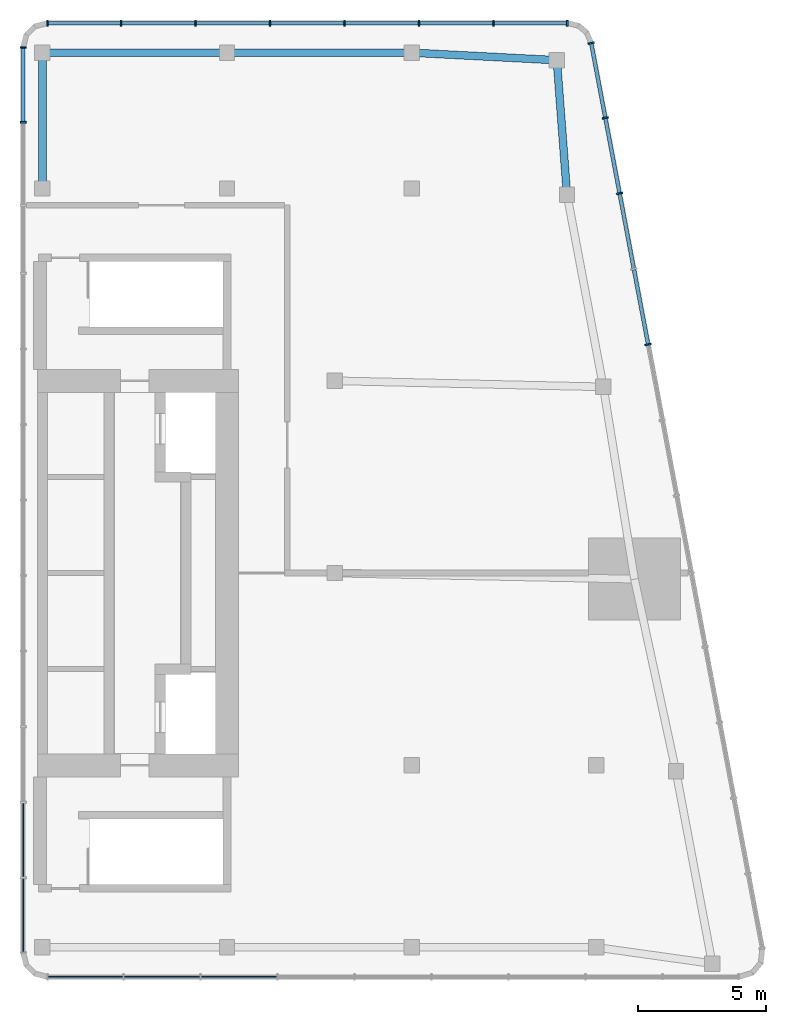
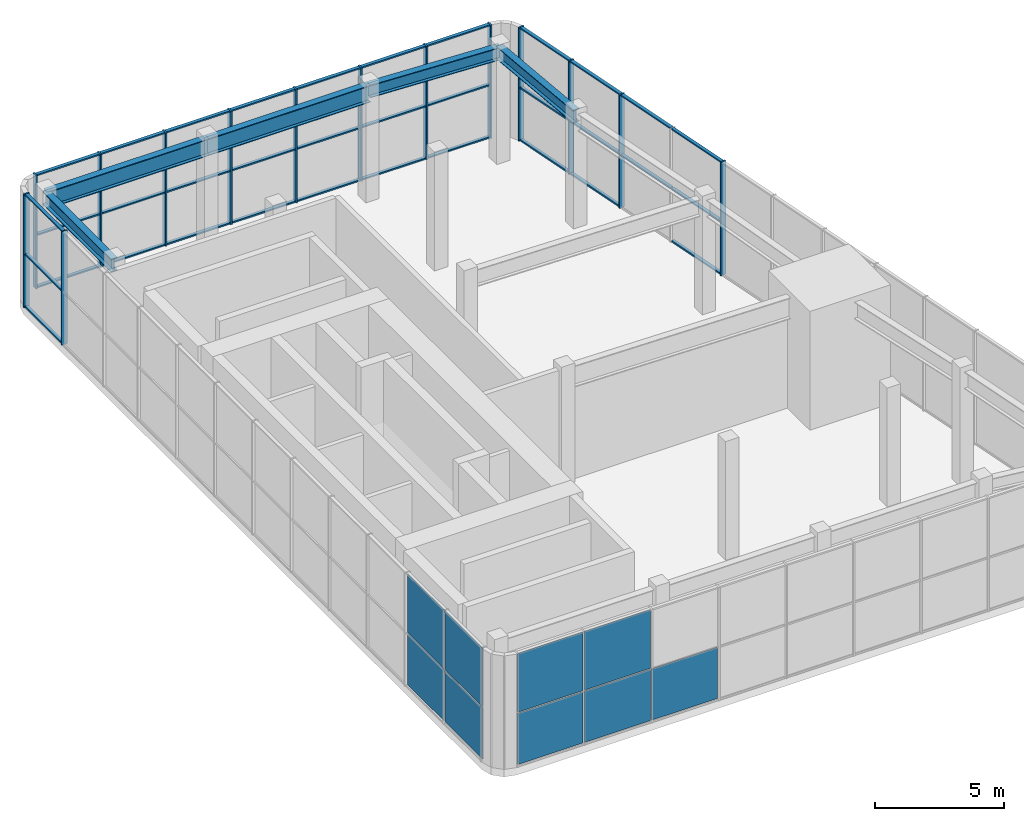
# One storey, part 3 of 6: 49 members, 9 plates, 5 beams, 4 elements without a shape of their own.
"""IFC4 building model written with IfcOpenShell, lengths in metres."""

from ifc_helpers import new_model, si_unit, direction, frame, origin, origin_2d, place, context, subcontext, project, spatial, rectangle, i_section, extrude, material, layer, layer_set, material_profile, profile_set, type_object, element, aggregate, save


model = new_model("IFC4")

# Units and contexts
model_context = context("Model", 3, precision=1e-05, world=origin(), true_north=direction((0.0, 1.0)))
body_context = subcontext(model_context, "Body", "Model", "MODEL_VIEW")
ifc_project = project(units=[si_unit("LENGTHUNIT", "METRE"), si_unit("AREAUNIT", "SQUARE_METRE"), si_unit("VOLUMEUNIT", "CUBIC_METRE"), si_unit("PLANEANGLEUNIT", "RADIAN"), si_unit("MASSUNIT", "GRAM", prefix="KILO")], contexts=[model_context])

# Site, building, storey
site_placement = place(None, origin())
site = spatial("IfcSite", under=ifc_project, at=site_placement, CompositionType="ELEMENT")
building_placement = place(site_placement, origin())
building = spatial("IfcBuilding", under=site, at=building_placement, Name="Sheger Commons Tower", CompositionType="ELEMENT")
storey_placement = place(building_placement, frame((0.0, 0.0, 301.60009765625)))
storey = spatial("IfcBuildingStorey", under=building, at=storey_placement, Name="L77", CompositionType="ELEMENT", Elevation=301.60009765625)

# Curtain wall, members
ifc_material_1 = material(Name="Black aluminium curtain wall, dark tinted glazing", Category="aluminium")
curtain_wall_type = type_object("IfcCurtainWallType", Name="CURTAIN WALL CW6 LANTERN", PredefinedType="USERDEFINED", material=ifc_material_1)
curtain_wall_1_placement = place(storey_placement, origin())
curtain_wall_1 = element("IfcCurtainWall", 1, at=curtain_wall_1_placement, inside=storey, type_object=curtain_wall_type, Name="Curtain Wall Cw6 Lantern E1 L77", ObjectType="UNITISED CURTAIN WALL", PredefinedType="USERDEFINED")
ifc_material_2 = material(Name="Black anodised aluminium", Category="aluminium")
ifc_material_profile_1 = material_profile(ifc_material_2, rectangle(XDim=0.25, YDim=0.06494140625, at=origin_2d()), Name="AL 65x250")
ifc_profile_set_1 = profile_set([ifc_material_profile_1], Name="Black anodised aluminium")
member_type_1 = type_object("IfcMemberType", Name="MULLION AL 65x250", PredefinedType="MULLION", material=ifc_profile_set_1)
member_1_placement = place(storey_placement, frame((45.229248046875, 31.4150390625, 0.0), z_axis=(0.0, 0.0, 1.0), x_axis=(-0.982622863229, -0.185613331041, 0.0)))
member_1 = element("IfcMember", 2, at=member_1_placement, type_object=member_type_1, Name="CW6 mullion 9", PredefinedType="MULLION", context=body_context, shape_type="SweptSolid", body=[
    extrude(rectangle(XDim=0.25, YDim=0.06494140625, at=origin_2d()), origin(), (0.0, 0.0, 1.0), 5.349853515625),
])
member_2_placement = place(storey_placement, frame((44.115478515625, 37.310791015625, 0.0), z_axis=(0.0, 0.0, 1.0), x_axis=(-0.982622863229, -0.185613331041, 0.0)))
member_2 = element("IfcMember", 3, at=member_2_placement, type_object=member_type_1, Name="CW6 mullion 11", PredefinedType="MULLION", context=body_context, shape_type="SweptSolid", body=[
    extrude(rectangle(XDim=0.25, YDim=0.06494140625, at=origin_2d()), origin(), (0.0, 0.0, 1.0), 5.349853515625),
])
member_3_placement = place(storey_placement, frame((43.558837890625, 40.258544921875, 0.0), z_axis=(0.0, 0.0, 1.0), x_axis=(-0.982622863229, -0.185613331041, 0.0)))
member_3 = element("IfcMember", 4, at=member_3_placement, type_object=member_type_1, Name="CW6 mullion 12", PredefinedType="MULLION", context=body_context, shape_type="SweptSolid", body=[
    extrude(rectangle(XDim=0.25, YDim=0.06494140625, at=origin_2d()), origin(), (0.0, 0.0, 1.0), 5.349853515625),
])
member_4_placement = place(storey_placement, frame((43.008056640625, 43.174072265625, 0.0), z_axis=(0.0, 0.0, 1.0), x_axis=(-0.982622863229, -0.185613331041, 0.0)))
member_4 = element("IfcMember", 5, at=member_4_placement, type_object=member_type_1, Name="CW6 mullion 13", PredefinedType="MULLION", context=body_context, shape_type="SweptSolid", body=[
    extrude(rectangle(XDim=0.25, YDim=0.06494140625, at=origin_2d()), origin(), (0.0, 0.0, 1.0), 5.349853515625),
])

curtain_wall_2_placement = place(storey_placement, origin())
curtain_wall_2 = element("IfcCurtainWall", 6, at=curtain_wall_2_placement, inside=storey, type_object=curtain_wall_type, Name="Curtain Wall Cw6 Lantern N1 L77", ObjectType="UNITISED CURTAIN WALL", PredefinedType="USERDEFINED")
member_5_placement = place(storey_placement, frame((42.070556640625, 43.949951171875, 0.0), z_axis=(0.0, 0.0, 1.0), x_axis=(0.0, -1.0, 0.0)))
member_5 = element("IfcMember", 7, at=member_5_placement, type_object=member_type_1, Name="CW6 mullion 1", PredefinedType="MULLION", context=body_context, shape_type="SweptSolid", body=[
    extrude(rectangle(XDim=0.25, YDim=0.06494140625, at=origin_2d()), origin(), (0.0, 0.0, 1.0), 5.349853515625),
])
member_6_placement = place(storey_placement, frame((39.197265625, 43.949951171875, 0.0), z_axis=(0.0, 0.0, 1.0), x_axis=(0.0, -1.0, 0.0)))
member_6 = element("IfcMember", 8, at=member_6_placement, type_object=member_type_1, Name="CW6 mullion 2", PredefinedType="MULLION", context=body_context, shape_type="SweptSolid", body=[
    extrude(rectangle(XDim=0.25, YDim=0.06494140625, at=origin_2d()), origin(), (0.0, 0.0, 1.0), 5.349853515625),
])
member_7_placement = place(storey_placement, frame((36.29150390625, 43.949951171875, 0.0), z_axis=(0.0, 0.0, 1.0), x_axis=(0.0, -1.0, 0.0)))
member_7 = element("IfcMember", 9, at=member_7_placement, type_object=member_type_1, Name="CW6 mullion 3", PredefinedType="MULLION", context=body_context, shape_type="SweptSolid", body=[
    extrude(rectangle(XDim=0.25, YDim=0.06494140625, at=origin_2d()), origin(), (0.0, 0.0, 1.0), 5.349853515625),
])
member_8_placement = place(storey_placement, frame((33.3857421875, 43.949951171875, 0.0), z_axis=(0.0, 0.0, 1.0), x_axis=(0.0, -1.0, 0.0)))
member_8 = element("IfcMember", 10, at=member_8_placement, type_object=member_type_1, Name="CW6 mullion 4", PredefinedType="MULLION", context=body_context, shape_type="SweptSolid", body=[
    extrude(rectangle(XDim=0.25, YDim=0.06494140625, at=origin_2d()), origin(), (0.0, 0.0, 1.0), 5.349853515625),
])
member_9_placement = place(storey_placement, frame((30.480224609375, 43.949951171875, 0.0), z_axis=(0.0, 0.0, 1.0), x_axis=(0.0, -1.0, 0.0)))
member_9 = element("IfcMember", 11, at=member_9_placement, type_object=member_type_1, Name="CW6 mullion 5", PredefinedType="MULLION", context=body_context, shape_type="SweptSolid", body=[
    extrude(rectangle(XDim=0.25, YDim=0.06494140625, at=origin_2d()), origin(), (0.0, 0.0, 1.0), 5.349853515625),
])
member_10_placement = place(storey_placement, frame((27.574462890625, 43.949951171875, 0.0), z_axis=(0.0, 0.0, 1.0), x_axis=(0.0, -1.0, 0.0)))
member_10 = element("IfcMember", 12, at=member_10_placement, type_object=member_type_1, Name="CW6 mullion 6", PredefinedType="MULLION", context=body_context, shape_type="SweptSolid", body=[
    extrude(rectangle(XDim=0.25, YDim=0.06494140625, at=origin_2d()), origin(), (0.0, 0.0, 1.0), 5.349853515625),
])
member_11_placement = place(storey_placement, frame((24.668701171875, 43.949951171875, 0.0), z_axis=(0.0, 0.0, 1.0), x_axis=(0.0, -1.0, 0.0)))
member_11 = element("IfcMember", 13, at=member_11_placement, type_object=member_type_1, Name="CW6 mullion 7", PredefinedType="MULLION", context=body_context, shape_type="SweptSolid", body=[
    extrude(rectangle(XDim=0.25, YDim=0.06494140625, at=origin_2d()), origin(), (0.0, 0.0, 1.0), 5.349853515625),
])
member_12_placement = place(storey_placement, frame((21.79541015625, 43.949951171875, 0.0), z_axis=(0.0, 0.0, 1.0), x_axis=(0.0, -1.0, 0.0)))
member_12 = element("IfcMember", 14, at=member_12_placement, type_object=member_type_1, Name="CW6 mullion 8", PredefinedType="MULLION", context=body_context, shape_type="SweptSolid", body=[
    extrude(rectangle(XDim=0.25, YDim=0.06494140625, at=origin_2d()), origin(), (0.0, 0.0, 1.0), 5.349853515625),
])

curtain_wall_3_placement = place(storey_placement, origin())
curtain_wall_3 = element("IfcCurtainWall", 15, at=curtain_wall_3_placement, inside=storey, type_object=curtain_wall_type, Name="Curtain Wall Cw6 Lantern W1 L77", ObjectType="UNITISED CURTAIN WALL", PredefinedType="USERDEFINED")
member_13_placement = place(storey_placement, frame((20.85009765625, 43.00439453125, 0.0), z_axis=(0.0, 0.0, 1.0), x_axis=(1.0, 0.0, 0.0)))
member_13 = element("IfcMember", 16, at=member_13_placement, type_object=member_type_1, Name="CW6 mullion 1", PredefinedType="MULLION", context=body_context, shape_type="SweptSolid", body=[
    extrude(rectangle(XDim=0.25, YDim=0.06494140625, at=origin_2d()), origin(), (0.0, 0.0, 1.0), 5.349853515625),
])
member_14_placement = place(storey_placement, frame((20.85009765625, 40.089111328125, 0.0), z_axis=(0.0, 0.0, 1.0), x_axis=(1.0, 0.0, 0.0)))
member_14 = element("IfcMember", 17, at=member_14_placement, type_object=member_type_1, Name="CW6 mullion 2", PredefinedType="MULLION", context=body_context, shape_type="SweptSolid", body=[
    extrude(rectangle(XDim=0.25, YDim=0.06494140625, at=origin_2d()), origin(), (0.0, 0.0, 1.0), 5.349853515625),
])

# Beams
ifc_material_3 = material(Name="Steel S460", Category="steel")
ifc_material_profile_2 = material_profile(ifc_material_3, i_section(OverallWidth=0.300048828125, OverallDepth=0.60009765625, WebThickness=0.015380859375, FlangeThickness=0.030029296875, at=origin_2d()), Name="HE 600 B")
ifc_profile_set_2 = profile_set([ifc_material_profile_2], Name="Steel S460")
beam_type_1 = type_object("IfcBeamType", Name="STEEL BEAM HE 600 B", PredefinedType="BEAM", material=ifc_profile_set_2)
beam_1_placement = place(storey_placement, frame((42.06396484375, 37.262939453125, 5.0498046875), z_axis=(-0.075496345854, 0.997146078447, 0.0), x_axis=(-0.997146078447, -0.075496345854, 0.0)))
element("IfcBeam", 18, at=beam_1_placement, inside=storey, type_object=beam_type_1, Name="Beam E/F-E/G-1.8 under ROOF", PredefinedType="BEAM", context=body_context, shape_type="SweptSolid", body=[
    extrude(i_section(OverallWidth=0.300048828125, OverallDepth=0.60009765625, WebThickness=0.015380859375, FlangeThickness=0.030029296875, at=origin_2d()), origin(), (0.0, 0.0, 1.0), 5.258056640625),
])
beam_2_placement = place(storey_placement, frame((41.6669921875, 42.506103515625, 5.0498046875), z_axis=(-0.998657474351, 0.051800086124, 0.0), x_axis=(-0.051800086124, -0.998657474351, 0.0)))
element("IfcBeam", 19, at=beam_2_placement, inside=storey, type_object=beam_type_1, Name="Beam E/G-1.8-6/G-1.8 under ROOF", PredefinedType="BEAM", context=body_context, shape_type="SweptSolid", body=[
    extrude(i_section(OverallWidth=0.300048828125, OverallDepth=0.60009765625, WebThickness=0.015380859375, FlangeThickness=0.030029296875, at=origin_2d()), origin(), (0.0, 0.0, 1.0), 5.674560546875),
])
beam_3_placement = place(storey_placement, frame((21.60009765625, 42.800048828125, 5.0498046875), z_axis=(0.0, -1.0, 0.0), x_axis=(1.0, 0.0, 0.0)))
element("IfcBeam", 20, at=beam_3_placement, inside=storey, type_object=beam_type_1, Name="Beam 4/G-1.8-4/F under ROOF", PredefinedType="BEAM", context=body_context, shape_type="SweptSolid", body=[
    extrude(i_section(OverallWidth=0.300048828125, OverallDepth=0.60009765625, WebThickness=0.015380859375, FlangeThickness=0.030029296875, at=origin_2d()), origin(), (0.0, 0.0, 1.0), 5.300048828125),
])
ifc_material_4 = material(Name="Steel S460", Category="steel")
ifc_material_profile_3 = material_profile(ifc_material_4, i_section(OverallWidth=0.300048828125, OverallDepth=0.800048828125, WebThickness=0.017578125, FlangeThickness=0.032958984375, at=origin_2d()), Name="HE 800 B")
ifc_profile_set_3 = profile_set([ifc_material_profile_3], Name="Steel S460")
beam_type_2 = type_object("IfcBeamType", Name="STEEL BEAM HE 800 B", PredefinedType="BEAM", material=ifc_profile_set_3)
for number, where, z_axis, x_axis, name in (
    (21, (36.0, 42.800048828125, 4.949951171875), (-1.0, 0.0, 0.0), (0.0, -1.0, 0.0), "Beam 6/G-1.8-5/G-1.8 under ROOF"),
    (22, (28.800048828125, 42.800048828125, 4.949951171875), (-1.0, 0.0, 0.0), (0.0, -1.0, 0.0), "Beam 5/G-1.8-4/G-1.8 under ROOF"),
):
    element("IfcBeam", number, at=place(storey_placement, frame(where, z_axis=z_axis, x_axis=x_axis)), inside=storey, type_object=beam_type_2, Name=name, PredefinedType="BEAM", context=body_context, shape_type="SweptSolid", body=[
        extrude(i_section(OverallWidth=0.300048828125, OverallDepth=0.800048828125, WebThickness=0.017578125, FlangeThickness=0.032958984375, at=origin_2d()), origin(), (0.0, 0.0, 1.0), 7.199951171875),
    ])

# Member
ifc_material_5 = material(Name="Black anodised aluminium", Category="aluminium")
ifc_material_profile_4 = material_profile(ifc_material_5, rectangle(XDim=0.14990234375, YDim=0.06494140625, at=origin_2d()), Name="AL 65x150")
ifc_profile_set_4 = profile_set([ifc_material_profile_4], Name="Black anodised aluminium")
member_type_2 = type_object("IfcMemberType", Name="TRANSOM AL 65x150", PredefinedType="USERDEFINED", material=ifc_profile_set_4)
member_15_placement = place(storey_placement, frame((45.22314453125, 31.44677734375, 0.032470703125), z_axis=(-0.18557911014, 0.982629326796, 0.0), x_axis=(-0.982629326796, -0.18557911014, 0.0)))
member_15 = element("IfcMember", 23, at=member_15_placement, type_object=member_type_2, Name="CW6 transom 9.1", ObjectType="TRANSOM", PredefinedType="USERDEFINED", context=body_context, shape_type="SweptSolid", body=[
    extrude(rectangle(XDim=0.14990234375, YDim=0.06494140625, at=origin_2d()), origin(), (0.0, 0.0, 1.0), 2.93505859375),
])

member_16_placement = place(storey_placement, frame((45.22314453125, 31.44677734375, 2.5), z_axis=(-0.18557911014, 0.982629326796, 0.0), x_axis=(-0.982629326796, -0.18557911014, 0.0)))
member_16 = element("IfcMember", 24, at=member_16_placement, type_object=member_type_2, Name="CW6 transom 9.2", ObjectType="TRANSOM", PredefinedType="USERDEFINED", context=body_context, shape_type="SweptSolid", body=[
    extrude(rectangle(XDim=0.14990234375, YDim=0.06494140625, at=origin_2d()), origin(), (0.0, 0.0, 1.0), 2.93505859375),
])

member_17_placement = place(storey_placement, frame((45.22314453125, 31.44677734375, 5.3173828125), z_axis=(-0.18557911014, 0.982629326796, 0.0), x_axis=(-0.982629326796, -0.18557911014, 0.0)))
member_17 = element("IfcMember", 25, at=member_17_placement, type_object=member_type_2, Name="CW6 transom 9.3", ObjectType="TRANSOM", PredefinedType="USERDEFINED", context=body_context, shape_type="SweptSolid", body=[
    extrude(rectangle(XDim=0.14990234375, YDim=0.06494140625, at=origin_2d()), origin(), (0.0, 0.0, 1.0), 2.93505859375),
])

member_18_placement = place(storey_placement, frame((44.66650390625, 34.394775390625, 2.5), z_axis=(-0.185659425554, 0.982614155049, 0.0), x_axis=(-0.982614155049, -0.185659425554, 0.0)))
member_18 = element("IfcMember", 26, at=member_18_placement, type_object=member_type_2, Name="CW6 transom 10.2", ObjectType="TRANSOM", PredefinedType="USERDEFINED", context=body_context, shape_type="SweptSolid", body=[
    extrude(rectangle(XDim=0.14990234375, YDim=0.06494140625, at=origin_2d()), origin(), (0.0, 0.0, 1.0), 2.93505859375),
])

member_19_placement = place(storey_placement, frame((44.66650390625, 34.394775390625, 5.3173828125), z_axis=(-0.185659425554, 0.982614155049, 0.0), x_axis=(-0.982614155049, -0.185659425554, 0.0)))
member_19 = element("IfcMember", 27, at=member_19_placement, type_object=member_type_2, Name="CW6 transom 10.3", ObjectType="TRANSOM", PredefinedType="USERDEFINED", context=body_context, shape_type="SweptSolid", body=[
    extrude(rectangle(XDim=0.14990234375, YDim=0.06494140625, at=origin_2d()), origin(), (0.0, 0.0, 1.0), 2.93505859375),
])

member_20_placement = place(storey_placement, frame((44.109619140625, 37.342529296875, 0.032470703125), z_axis=(-0.185659425554, 0.982614155049, 0.0), x_axis=(-0.982614155049, -0.185659425554, 0.0)))
member_20 = element("IfcMember", 28, at=member_20_placement, type_object=member_type_2, Name="CW6 transom 11.1", ObjectType="TRANSOM", PredefinedType="USERDEFINED", context=body_context, shape_type="SweptSolid", body=[
    extrude(rectangle(XDim=0.14990234375, YDim=0.06494140625, at=origin_2d()), origin(), (0.0, 0.0, 1.0), 2.93505859375),
])

member_21_placement = place(storey_placement, frame((44.109619140625, 37.342529296875, 2.5), z_axis=(-0.185659425554, 0.982614155049, 0.0), x_axis=(-0.982614155049, -0.185659425554, 0.0)))
member_21 = element("IfcMember", 29, at=member_21_placement, type_object=member_type_2, Name="CW6 transom 11.2", ObjectType="TRANSOM", PredefinedType="USERDEFINED", context=body_context, shape_type="SweptSolid", body=[
    extrude(rectangle(XDim=0.14990234375, YDim=0.06494140625, at=origin_2d()), origin(), (0.0, 0.0, 1.0), 2.93505859375),
])

member_22_placement = place(storey_placement, frame((44.109619140625, 37.342529296875, 5.3173828125), z_axis=(-0.185659425554, 0.982614155049, 0.0), x_axis=(-0.982614155049, -0.185659425554, 0.0)))
member_22 = element("IfcMember", 30, at=member_22_placement, type_object=member_type_2, Name="CW6 transom 11.3", ObjectType="TRANSOM", PredefinedType="USERDEFINED", context=body_context, shape_type="SweptSolid", body=[
    extrude(rectangle(XDim=0.14990234375, YDim=0.06494140625, at=origin_2d()), origin(), (0.0, 0.0, 1.0), 2.93505859375),
])

member_23_placement = place(storey_placement, frame((43.552734375, 40.29052734375, 0.032470703125), z_axis=(-0.185588723431, 0.982627511184, 0.0), x_axis=(-0.982627511184, -0.185588723431, 0.0)))
member_23 = element("IfcMember", 31, at=member_23_placement, type_object=member_type_2, Name="CW6 transom 12.1", ObjectType="TRANSOM", PredefinedType="USERDEFINED", context=body_context, shape_type="SweptSolid", body=[
    extrude(rectangle(XDim=0.14990234375, YDim=0.06494140625, at=origin_2d()), origin(), (0.0, 0.0, 1.0), 2.90185546875),
])

member_24_placement = place(storey_placement, frame((43.552734375, 40.29052734375, 2.5), z_axis=(-0.185588723431, 0.982627511184, 0.0), x_axis=(-0.982627511184, -0.185588723431, 0.0)))
member_24 = element("IfcMember", 32, at=member_24_placement, type_object=member_type_2, Name="CW6 transom 12.2", ObjectType="TRANSOM", PredefinedType="USERDEFINED", context=body_context, shape_type="SweptSolid", body=[
    extrude(rectangle(XDim=0.14990234375, YDim=0.06494140625, at=origin_2d()), origin(), (0.0, 0.0, 1.0), 2.90185546875),
])

member_25_placement = place(storey_placement, frame((43.552734375, 40.29052734375, 5.3173828125), z_axis=(-0.185588723431, 0.982627511184, 0.0), x_axis=(-0.982627511184, -0.185588723431, 0.0)))
member_25 = element("IfcMember", 33, at=member_25_placement, type_object=member_type_2, Name="CW6 transom 12.3", ObjectType="TRANSOM", PredefinedType="USERDEFINED", context=body_context, shape_type="SweptSolid", body=[
    extrude(rectangle(XDim=0.14990234375, YDim=0.06494140625, at=origin_2d()), origin(), (0.0, 0.0, 1.0), 2.90185546875),
])

aggregate(curtain_wall_1, [member_1, member_2, member_3, member_4, member_15, member_16, member_17, member_18, member_19, member_20, member_21, member_22, member_23, member_24, member_25])

member_26_placement = place(storey_placement, frame((42.0380859375, 43.949951171875, 0.032470703125), z_axis=(-1.0, 0.0, 0.0), x_axis=(0.0, -1.0, 0.0)))
member_26 = element("IfcMember", 34, at=member_26_placement, type_object=member_type_2, Name="CW6 transom 1.1", ObjectType="TRANSOM", PredefinedType="USERDEFINED", context=body_context, shape_type="SweptSolid", body=[
    extrude(rectangle(XDim=0.14990234375, YDim=0.06494140625, at=origin_2d()), origin(), (0.0, 0.0, 1.0), 2.808349609375),
])

member_27_placement = place(storey_placement, frame((42.0380859375, 43.949951171875, 2.5), z_axis=(-1.0, 0.0, 0.0), x_axis=(0.0, -1.0, 0.0)))
member_27 = element("IfcMember", 35, at=member_27_placement, type_object=member_type_2, Name="CW6 transom 1.2", ObjectType="TRANSOM", PredefinedType="USERDEFINED", context=body_context, shape_type="SweptSolid", body=[
    extrude(rectangle(XDim=0.14990234375, YDim=0.06494140625, at=origin_2d()), origin(), (0.0, 0.0, 1.0), 2.808349609375),
])

member_28_placement = place(storey_placement, frame((42.0380859375, 43.949951171875, 5.3173828125), z_axis=(-1.0, 0.0, 0.0), x_axis=(0.0, -1.0, 0.0)))
member_28 = element("IfcMember", 36, at=member_28_placement, type_object=member_type_2, Name="CW6 transom 1.3", ObjectType="TRANSOM", PredefinedType="USERDEFINED", context=body_context, shape_type="SweptSolid", body=[
    extrude(rectangle(XDim=0.14990234375, YDim=0.06494140625, at=origin_2d()), origin(), (0.0, 0.0, 1.0), 2.808349609375),
])

member_29_placement = place(storey_placement, frame((39.164794921875, 43.949951171875, 0.032470703125), z_axis=(-1.0, 0.0, 0.0), x_axis=(0.0, -1.0, 0.0)))
member_29 = element("IfcMember", 37, at=member_29_placement, type_object=member_type_2, Name="CW6 transom 2.1", ObjectType="TRANSOM", PredefinedType="USERDEFINED", context=body_context, shape_type="SweptSolid", body=[
    extrude(rectangle(XDim=0.14990234375, YDim=0.06494140625, at=origin_2d()), origin(), (0.0, 0.0, 1.0), 2.8408203125),
])

member_30_placement = place(storey_placement, frame((39.164794921875, 43.949951171875, 2.5), z_axis=(-1.0, 0.0, 0.0), x_axis=(0.0, -1.0, 0.0)))
member_30 = element("IfcMember", 38, at=member_30_placement, type_object=member_type_2, Name="CW6 transom 2.2", ObjectType="TRANSOM", PredefinedType="USERDEFINED", context=body_context, shape_type="SweptSolid", body=[
    extrude(rectangle(XDim=0.14990234375, YDim=0.06494140625, at=origin_2d()), origin(), (0.0, 0.0, 1.0), 2.8408203125),
])

member_31_placement = place(storey_placement, frame((39.164794921875, 43.949951171875, 5.3173828125), z_axis=(-1.0, 0.0, 0.0), x_axis=(0.0, -1.0, 0.0)))
member_31 = element("IfcMember", 39, at=member_31_placement, type_object=member_type_2, Name="CW6 transom 2.3", ObjectType="TRANSOM", PredefinedType="USERDEFINED", context=body_context, shape_type="SweptSolid", body=[
    extrude(rectangle(XDim=0.14990234375, YDim=0.06494140625, at=origin_2d()), origin(), (0.0, 0.0, 1.0), 2.8408203125),
])

member_32_placement = place(storey_placement, frame((36.259033203125, 43.949951171875, 0.032470703125), z_axis=(-1.0, 0.0, 0.0), x_axis=(0.0, -1.0, 0.0)))
member_32 = element("IfcMember", 40, at=member_32_placement, type_object=member_type_2, Name="CW6 transom 3.1", ObjectType="TRANSOM", PredefinedType="USERDEFINED", context=body_context, shape_type="SweptSolid", body=[
    extrude(rectangle(XDim=0.14990234375, YDim=0.06494140625, at=origin_2d()), origin(), (0.0, 0.0, 1.0), 2.840576171875),
])

member_33_placement = place(storey_placement, frame((36.259033203125, 43.949951171875, 2.5), z_axis=(-1.0, 0.0, 0.0), x_axis=(0.0, -1.0, 0.0)))
member_33 = element("IfcMember", 41, at=member_33_placement, type_object=member_type_2, Name="CW6 transom 3.2", ObjectType="TRANSOM", PredefinedType="USERDEFINED", context=body_context, shape_type="SweptSolid", body=[
    extrude(rectangle(XDim=0.14990234375, YDim=0.06494140625, at=origin_2d()), origin(), (0.0, 0.0, 1.0), 2.840576171875),
])

member_34_placement = place(storey_placement, frame((36.259033203125, 43.949951171875, 5.3173828125), z_axis=(-1.0, 0.0, 0.0), x_axis=(0.0, -1.0, 0.0)))
member_34 = element("IfcMember", 42, at=member_34_placement, type_object=member_type_2, Name="CW6 transom 3.3", ObjectType="TRANSOM", PredefinedType="USERDEFINED", context=body_context, shape_type="SweptSolid", body=[
    extrude(rectangle(XDim=0.14990234375, YDim=0.06494140625, at=origin_2d()), origin(), (0.0, 0.0, 1.0), 2.840576171875),
])

member_35_placement = place(storey_placement, frame((33.353271484375, 43.949951171875, 0.032470703125), z_axis=(-1.0, 0.0, 0.0), x_axis=(0.0, -1.0, 0.0)))
member_35 = element("IfcMember", 43, at=member_35_placement, type_object=member_type_2, Name="CW6 transom 4.1", ObjectType="TRANSOM", PredefinedType="USERDEFINED", context=body_context, shape_type="SweptSolid", body=[
    extrude(rectangle(XDim=0.14990234375, YDim=0.06494140625, at=origin_2d()), origin(), (0.0, 0.0, 1.0), 2.840576171875),
])

member_36_placement = place(storey_placement, frame((33.353271484375, 43.949951171875, 2.5), z_axis=(-1.0, 0.0, 0.0), x_axis=(0.0, -1.0, 0.0)))
member_36 = element("IfcMember", 44, at=member_36_placement, type_object=member_type_2, Name="CW6 transom 4.2", ObjectType="TRANSOM", PredefinedType="USERDEFINED", context=body_context, shape_type="SweptSolid", body=[
    extrude(rectangle(XDim=0.14990234375, YDim=0.06494140625, at=origin_2d()), origin(), (0.0, 0.0, 1.0), 2.840576171875),
])

member_37_placement = place(storey_placement, frame((33.353271484375, 43.949951171875, 5.3173828125), z_axis=(-1.0, 0.0, 0.0), x_axis=(0.0, -1.0, 0.0)))
member_37 = element("IfcMember", 45, at=member_37_placement, type_object=member_type_2, Name="CW6 transom 4.3", ObjectType="TRANSOM", PredefinedType="USERDEFINED", context=body_context, shape_type="SweptSolid", body=[
    extrude(rectangle(XDim=0.14990234375, YDim=0.06494140625, at=origin_2d()), origin(), (0.0, 0.0, 1.0), 2.840576171875),
])

member_38_placement = place(storey_placement, frame((30.44775390625, 43.949951171875, 0.032470703125), z_axis=(-1.0, 0.0, 0.0), x_axis=(0.0, -1.0, 0.0)))
member_38 = element("IfcMember", 46, at=member_38_placement, type_object=member_type_2, Name="CW6 transom 5.1", ObjectType="TRANSOM", PredefinedType="USERDEFINED", context=body_context, shape_type="SweptSolid", body=[
    extrude(rectangle(XDim=0.14990234375, YDim=0.06494140625, at=origin_2d()), origin(), (0.0, 0.0, 1.0), 2.8408203125),
])

member_39_placement = place(storey_placement, frame((30.44775390625, 43.949951171875, 2.5), z_axis=(-1.0, 0.0, 0.0), x_axis=(0.0, -1.0, 0.0)))
member_39 = element("IfcMember", 47, at=member_39_placement, type_object=member_type_2, Name="CW6 transom 5.2", ObjectType="TRANSOM", PredefinedType="USERDEFINED", context=body_context, shape_type="SweptSolid", body=[
    extrude(rectangle(XDim=0.14990234375, YDim=0.06494140625, at=origin_2d()), origin(), (0.0, 0.0, 1.0), 2.8408203125),
])

member_40_placement = place(storey_placement, frame((30.44775390625, 43.949951171875, 5.3173828125), z_axis=(-1.0, 0.0, 0.0), x_axis=(0.0, -1.0, 0.0)))
member_40 = element("IfcMember", 48, at=member_40_placement, type_object=member_type_2, Name="CW6 transom 5.3", ObjectType="TRANSOM", PredefinedType="USERDEFINED", context=body_context, shape_type="SweptSolid", body=[
    extrude(rectangle(XDim=0.14990234375, YDim=0.06494140625, at=origin_2d()), origin(), (0.0, 0.0, 1.0), 2.8408203125),
])

member_41_placement = place(storey_placement, frame((27.5419921875, 43.949951171875, 0.032470703125), z_axis=(-1.0, 0.0, 0.0), x_axis=(0.0, -1.0, 0.0)))
member_41 = element("IfcMember", 49, at=member_41_placement, type_object=member_type_2, Name="CW6 transom 6.1", ObjectType="TRANSOM", PredefinedType="USERDEFINED", context=body_context, shape_type="SweptSolid", body=[
    extrude(rectangle(XDim=0.14990234375, YDim=0.06494140625, at=origin_2d()), origin(), (0.0, 0.0, 1.0), 2.8408203125),
])

member_42_placement = place(storey_placement, frame((27.5419921875, 43.949951171875, 2.5), z_axis=(-1.0, 0.0, 0.0), x_axis=(0.0, -1.0, 0.0)))
member_42 = element("IfcMember", 50, at=member_42_placement, type_object=member_type_2, Name="CW6 transom 6.2", ObjectType="TRANSOM", PredefinedType="USERDEFINED", context=body_context, shape_type="SweptSolid", body=[
    extrude(rectangle(XDim=0.14990234375, YDim=0.06494140625, at=origin_2d()), origin(), (0.0, 0.0, 1.0), 2.8408203125),
])

member_43_placement = place(storey_placement, frame((27.5419921875, 43.949951171875, 5.3173828125), z_axis=(-1.0, 0.0, 0.0), x_axis=(0.0, -1.0, 0.0)))
member_43 = element("IfcMember", 51, at=member_43_placement, type_object=member_type_2, Name="CW6 transom 6.3", ObjectType="TRANSOM", PredefinedType="USERDEFINED", context=body_context, shape_type="SweptSolid", body=[
    extrude(rectangle(XDim=0.14990234375, YDim=0.06494140625, at=origin_2d()), origin(), (0.0, 0.0, 1.0), 2.8408203125),
])

member_44_placement = place(storey_placement, frame((24.63623046875, 43.949951171875, 0.032470703125), z_axis=(-1.0, 0.0, 0.0), x_axis=(0.0, -1.0, 0.0)))
member_44 = element("IfcMember", 52, at=member_44_placement, type_object=member_type_2, Name="CW6 transom 7.1", ObjectType="TRANSOM", PredefinedType="USERDEFINED", context=body_context, shape_type="SweptSolid", body=[
    extrude(rectangle(XDim=0.14990234375, YDim=0.06494140625, at=origin_2d()), origin(), (0.0, 0.0, 1.0), 2.808349609375),
])

member_45_placement = place(storey_placement, frame((24.63623046875, 43.949951171875, 2.5), z_axis=(-1.0, 0.0, 0.0), x_axis=(0.0, -1.0, 0.0)))
member_45 = element("IfcMember", 53, at=member_45_placement, type_object=member_type_2, Name="CW6 transom 7.2", ObjectType="TRANSOM", PredefinedType="USERDEFINED", context=body_context, shape_type="SweptSolid", body=[
    extrude(rectangle(XDim=0.14990234375, YDim=0.06494140625, at=origin_2d()), origin(), (0.0, 0.0, 1.0), 2.808349609375),
])

member_46_placement = place(storey_placement, frame((24.63623046875, 43.949951171875, 5.3173828125), z_axis=(-1.0, 0.0, 0.0), x_axis=(0.0, -1.0, 0.0)))
member_46 = element("IfcMember", 54, at=member_46_placement, type_object=member_type_2, Name="CW6 transom 7.3", ObjectType="TRANSOM", PredefinedType="USERDEFINED", context=body_context, shape_type="SweptSolid", body=[
    extrude(rectangle(XDim=0.14990234375, YDim=0.06494140625, at=origin_2d()), origin(), (0.0, 0.0, 1.0), 2.808349609375),
])

aggregate(curtain_wall_2, [member_5, member_6, member_7, member_8, member_9, member_10, member_11, member_12, member_26, member_27, member_28, member_29, member_30, member_31, member_32, member_33, member_34, member_35, member_36, member_37, member_38, member_39, member_40, member_41, member_42, member_43, member_44, member_45, member_46])

member_47_placement = place(storey_placement, frame((20.85009765625, 42.971923828125, 0.032470703125), z_axis=(0.0, -1.0, 0.0), x_axis=(1.0, 0.0, 0.0)))
member_47 = element("IfcMember", 55, at=member_47_placement, type_object=member_type_2, Name="CW6 transom 1.1", ObjectType="TRANSOM", PredefinedType="USERDEFINED", context=body_context, shape_type="SweptSolid", body=[
    extrude(rectangle(XDim=0.14990234375, YDim=0.06494140625, at=origin_2d()), origin(), (0.0, 0.0, 1.0), 2.850341796875),
])

member_48_placement = place(storey_placement, frame((20.85009765625, 42.971923828125, 2.5), z_axis=(0.0, -1.0, 0.0), x_axis=(1.0, 0.0, 0.0)))
member_48 = element("IfcMember", 56, at=member_48_placement, type_object=member_type_2, Name="CW6 transom 1.2", ObjectType="TRANSOM", PredefinedType="USERDEFINED", context=body_context, shape_type="SweptSolid", body=[
    extrude(rectangle(XDim=0.14990234375, YDim=0.06494140625, at=origin_2d()), origin(), (0.0, 0.0, 1.0), 2.850341796875),
])

member_49_placement = place(storey_placement, frame((20.85009765625, 42.971923828125, 5.3173828125), z_axis=(0.0, -1.0, 0.0), x_axis=(1.0, 0.0, 0.0)))
member_49 = element("IfcMember", 57, at=member_49_placement, type_object=member_type_2, Name="CW6 transom 1.3", ObjectType="TRANSOM", PredefinedType="USERDEFINED", context=body_context, shape_type="SweptSolid", body=[
    extrude(rectangle(XDim=0.14990234375, YDim=0.06494140625, at=origin_2d()), origin(), (0.0, 0.0, 1.0), 2.850341796875),
])

# Curtain wall, plates
curtain_wall_4_placement = place(storey_placement, origin())
curtain_wall_4 = element("IfcCurtainWall", 58, at=curtain_wall_4_placement, inside=storey, type_object=curtain_wall_type, Name="Curtain Wall Cw6 Lantern S1 L77", ObjectType="UNITISED CURTAIN WALL", PredefinedType="USERDEFINED")
ifc_material_6 = material(Name="Dark tinted double glazing, laminated inner and outer panes", Category="glass")
ifc_layer = layer(ifc_material_6, 0.0439453125)
ifc_layer_set = layer_set([ifc_layer], Name="GLAZED PANEL 44")
plate_type = type_object("IfcPlateType", Name="GLAZED PANEL 44", PredefinedType="CURTAIN_PANEL", material=ifc_layer_set)
plate_1_placement = place(storey_placement, frame((23.280517578125, 6.75, 0.06494140625), z_axis=(0.0, 0.0, 1.0), x_axis=(1.0, 0.0, 0.0)))
plate_1 = element("IfcPlate", 59, at=plate_1_placement, type_object=plate_type, Name="CW6 panel 1.1", PredefinedType="CURTAIN_PANEL", context=body_context, shape_type="SweptSolid", body=[
    extrude(rectangle(XDim=2.9052734375, YDim=0.0439453125, at=origin_2d()), origin(), (0.0, 0.0, 1.0), 2.402587890625),
])
plate_2_placement = place(storey_placement, frame((23.280517578125, 6.75, 2.532470703125), z_axis=(0.0, 0.0, 1.0), x_axis=(1.0, 0.0, 0.0)))
plate_2 = element("IfcPlate", 60, at=plate_2_placement, type_object=plate_type, Name="CW6 panel 1.2", PredefinedType="CURTAIN_PANEL", context=body_context, shape_type="SweptSolid", body=[
    extrude(rectangle(XDim=2.9052734375, YDim=0.0439453125, at=origin_2d()), origin(), (0.0, 0.0, 1.0), 2.75244140625),
])
plate_3_placement = place(storey_placement, frame((26.26708984375, 6.75, 0.06494140625), z_axis=(0.0, 0.0, 1.0), x_axis=(1.0, 0.0, 0.0)))
plate_3 = element("IfcPlate", 61, at=plate_3_placement, type_object=plate_type, Name="CW6 panel 2.1", PredefinedType="CURTAIN_PANEL", context=body_context, shape_type="SweptSolid", body=[
    extrude(rectangle(XDim=2.937744140625, YDim=0.0439453125, at=origin_2d()), origin(), (0.0, 0.0, 1.0), 2.402587890625),
])
plate_4_placement = place(storey_placement, frame((26.26708984375, 6.75, 2.532470703125), z_axis=(0.0, 0.0, 1.0), x_axis=(1.0, 0.0, 0.0)))
plate_4 = element("IfcPlate", 62, at=plate_4_placement, type_object=plate_type, Name="CW6 panel 2.2", PredefinedType="CURTAIN_PANEL", context=body_context, shape_type="SweptSolid", body=[
    extrude(rectangle(XDim=2.937744140625, YDim=0.0439453125, at=origin_2d()), origin(), (0.0, 0.0, 1.0), 2.75244140625),
])
plate_5_placement = place(storey_placement, frame((29.269775390625, 6.75, 0.06494140625), z_axis=(0.0, 0.0, 1.0), x_axis=(1.0, 0.0, 0.0)))
plate_5 = element("IfcPlate", 63, at=plate_5_placement, type_object=plate_type, Name="CW6 panel 3.1", PredefinedType="CURTAIN_PANEL", context=body_context, shape_type="SweptSolid", body=[
    extrude(rectangle(XDim=2.937744140625, YDim=0.0439453125, at=origin_2d()), origin(), (0.0, 0.0, 1.0), 2.402587890625),
])
aggregate(curtain_wall_4, [plate_1, plate_2, plate_3, plate_4, plate_5])

# Plate
plate_6_placement = place(storey_placement, frame((20.85009765625, 12.0849609375, 0.06494140625), z_axis=(0.0, 0.0, 1.0), x_axis=(0.0, -1.0, 0.0)))
plate_6 = element("IfcPlate", 64, at=plate_6_placement, type_object=plate_type, Name="CW6 panel 11.1", PredefinedType="CURTAIN_PANEL", context=body_context, shape_type="SweptSolid", body=[
    extrude(rectangle(XDim=2.883056640625, YDim=0.0439453125, at=origin_2d()), origin(), (0.0, 0.0, 1.0), 2.402587890625),
])

plate_7_placement = place(storey_placement, frame((20.85009765625, 12.0849609375, 2.532470703125), z_axis=(0.0, 0.0, 1.0), x_axis=(0.0, -1.0, 0.0)))
plate_7 = element("IfcPlate", 65, at=plate_7_placement, type_object=plate_type, Name="CW6 panel 11.2", PredefinedType="CURTAIN_PANEL", context=body_context, shape_type="SweptSolid", body=[
    extrude(rectangle(XDim=2.883056640625, YDim=0.0439453125, at=origin_2d()), origin(), (0.0, 0.0, 1.0), 2.75244140625),
])

plate_8_placement = place(storey_placement, frame((20.85009765625, 9.1533203125, 0.06494140625), z_axis=(0.0, 0.0, 1.0), x_axis=(0.0, -1.0, 0.0)))
plate_8 = element("IfcPlate", 66, at=plate_8_placement, type_object=plate_type, Name="CW6 panel 12.1", PredefinedType="CURTAIN_PANEL", context=body_context, shape_type="SweptSolid", body=[
    extrude(rectangle(XDim=2.8505859375, YDim=0.0439453125, at=origin_2d()), origin(), (0.0, 0.0, 1.0), 2.402587890625),
])

plate_9_placement = place(storey_placement, frame((20.85009765625, 9.1533203125, 2.532470703125), z_axis=(0.0, 0.0, 1.0), x_axis=(0.0, -1.0, 0.0)))
plate_9 = element("IfcPlate", 67, at=plate_9_placement, type_object=plate_type, Name="CW6 panel 12.2", PredefinedType="CURTAIN_PANEL", context=body_context, shape_type="SweptSolid", body=[
    extrude(rectangle(XDim=2.8505859375, YDim=0.0439453125, at=origin_2d()), origin(), (0.0, 0.0, 1.0), 2.75244140625),
])

aggregate(curtain_wall_3, [member_13, member_14, member_47, member_48, member_49, plate_6, plate_7, plate_8, plate_9])

save(model, "model.ifc")
